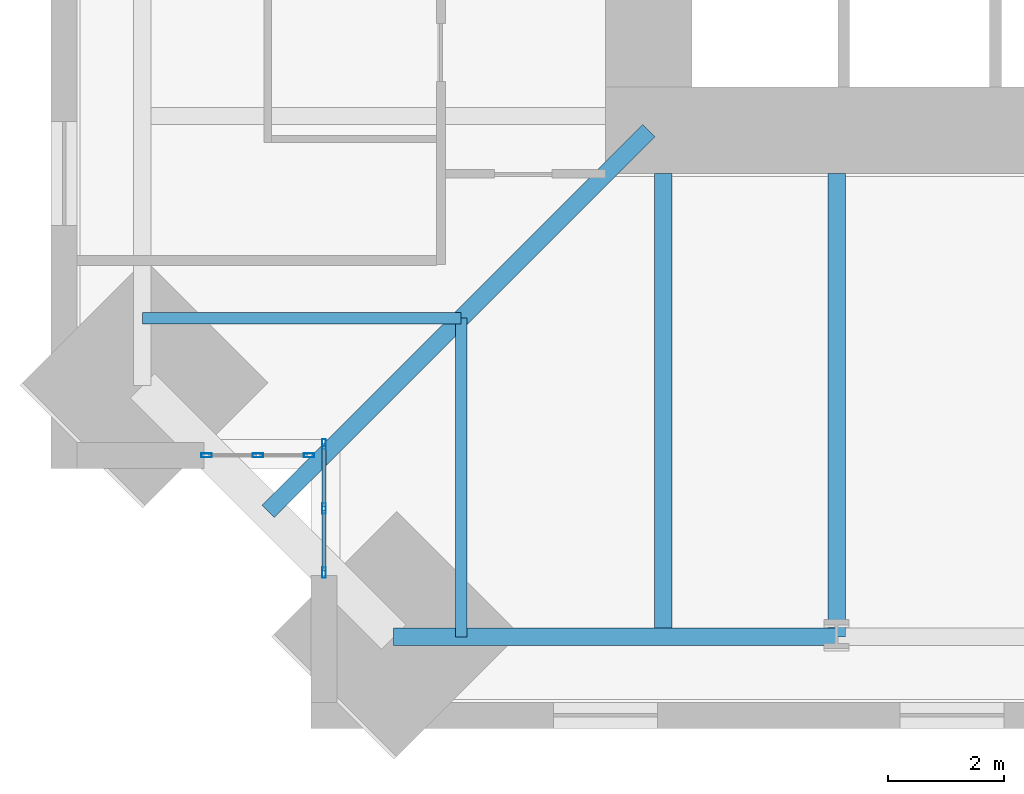
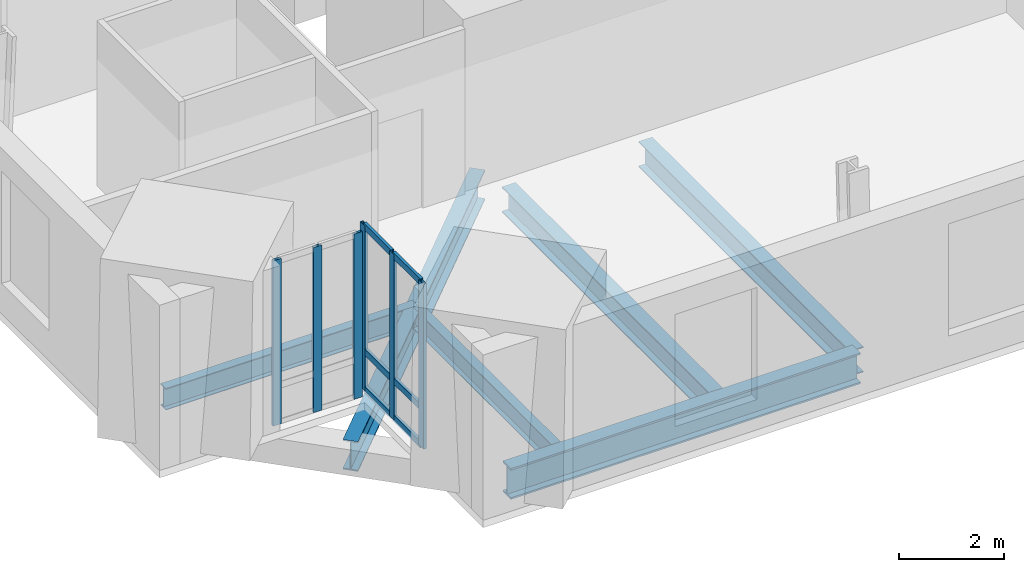
# One storey, part 2 of 16: 12 members, 6 beams, 2 elements without a shape of their own.
"""IFC4 building model written with IfcOpenShell, lengths in metres."""

from ifc_helpers import new_model, si_unit, direction, frame, origin, origin_2d, place, context, subcontext, project, spatial, hollow_rectangle, i_section, extrude, material, material_profile, profile_set, type_object, element, aggregate, save


model = new_model("IFC4")

# Units and contexts
model_context = context("Model", 3, precision=1e-05, world=origin(), true_north=direction((0.0, 1.0)))
body_context = subcontext(model_context, "Body", "Model", "MODEL_VIEW")
ifc_project = project(units=[si_unit("LENGTHUNIT", "METRE"), si_unit("AREAUNIT", "SQUARE_METRE"), si_unit("VOLUMEUNIT", "CUBIC_METRE"), si_unit("PLANEANGLEUNIT", "RADIAN"), si_unit("MASSUNIT", "GRAM", prefix="KILO")], contexts=[model_context])

# Site, building, storey
site_placement = place(None, origin())
site = spatial("IfcSite", under=ifc_project, at=site_placement, CompositionType="ELEMENT")
building_placement = place(site_placement, origin())
building = spatial("IfcBuilding", under=site, at=building_placement, Name="Peilmerk Tower", CompositionType="ELEMENT")
storey_placement = place(building_placement, frame((0.0, 0.0, 269.800048828125)))
storey = spatial("IfcBuildingStorey", under=building, at=storey_placement, Name="L60", CompositionType="ELEMENT", Elevation=269.800048828125)

# Beams
ifc_material_1 = material(Name="Steel S355", Category="steel")
ifc_material_profile_1 = material_profile(ifc_material_1, i_section(OverallWidth=0.300048828125, OverallDepth=0.68994140625, WebThickness=0.014404296875, FlangeThickness=0.027099609375, at=origin_2d()), Name="HEA 700")
ifc_profile_set_1 = profile_set([ifc_material_profile_1], Name="Steel S355")
beam_type_1 = type_object("IfcBeamType", Name="B16 HEA 700 floor beam", PredefinedType="BEAM", material=ifc_profile_set_1)
beam_1_placement = place(storey_placement, frame((-11.25, -11.25, -0.51513671875), z_axis=(-0.707106781187, -0.707106781187, 0.0), x_axis=(0.707106781187, -0.707106781187, 0.0)))
element("IfcBeam", 1, at=beam_1_placement, inside=storey, type_object=beam_type_1, Name="Corner girder L60", PredefinedType="BEAM", context=body_context, shape_type="SweptSolid", body=[
    extrude(i_section(OverallWidth=0.300048828125, OverallDepth=0.68994140625, WebThickness=0.014404296875, FlangeThickness=0.027099609375, at=origin_2d()), origin(), (0.0, 0.0, 1.0), 9.323486328125),
])
ifc_material_profile_2 = material_profile(ifc_material_1, i_section(OverallWidth=0.300048828125, OverallDepth=0.590087890625, WebThickness=0.012939453125, FlangeThickness=0.02490234375, at=origin_2d()), Name="HEA 600")
ifc_profile_set_2 = profile_set([ifc_material_profile_2], Name="Steel S355")
beam_type_2 = type_object("IfcBeamType", Name="B27 HEA 600 floor beam", PredefinedType="BEAM", material=ifc_profile_set_2)
for number, where, z_axis, x_axis, name in (
    (2, (-11.0, -12.0, -0.465087890625), (0.0, -1.0, 0.0), (1.0, 0.0, 0.0), "Floor beam L60"),
    (3, (-8.0, -12.0, -0.465087890625), (0.0, -1.0, 0.0), (1.0, 0.0, 0.0), "Floor beam L60"),
):
    element("IfcBeam", number, at=place(storey_placement, frame(where, z_axis=z_axis, x_axis=x_axis)), inside=storey, type_object=beam_type_2, Name=name, PredefinedType="BEAM", context=body_context, shape_type="SweptSolid", body=[
        extrude(i_section(OverallWidth=0.300048828125, OverallDepth=0.590087890625, WebThickness=0.012939453125, FlangeThickness=0.02490234375, at=origin_2d()), origin(), (0.0, 0.0, 1.0), 8.017822265625),
    ])
ifc_material_profile_3 = material_profile(ifc_material_1, i_section(OverallWidth=0.303955078125, OverallDepth=0.716064453125, WebThickness=0.02099609375, FlangeThickness=0.0400390625, at=origin_2d()), Name="HEM 700")
ifc_profile_set_3 = profile_set([ifc_material_profile_3], Name="Steel S355")
beam_type_3 = type_object("IfcBeamType", Name="B30 HEM 700 edge beam", PredefinedType="SPANDREL", material=ifc_profile_set_3)
beam_2_placement = place(storey_placement, frame((-15.667724609375, -20.017822265625, -0.528076171875), z_axis=(1.0, 0.0, 0.0), x_axis=(0.0, 1.0, 0.0)))
element("IfcBeam", 4, at=beam_2_placement, inside=storey, type_object=beam_type_3, Name="Edge beam L60", PredefinedType="SPANDREL", context=body_context, shape_type="SweptSolid", body=[
    extrude(i_section(OverallWidth=0.303955078125, OverallDepth=0.716064453125, WebThickness=0.02099609375, FlangeThickness=0.0400390625, at=origin_2d()), origin(), (0.0, 0.0, 1.0), 7.667724609375),
])
ifc_material_profile_4 = material_profile(ifc_material_1, i_section(OverallWidth=0.199951171875, OverallDepth=0.5, WebThickness=0.01025390625, FlangeThickness=0.01611328125, at=origin_2d()), Name="IPE 500")
ifc_profile_set_4 = profile_set([ifc_material_profile_4], Name="Steel S355")
beam_type_4 = type_object("IfcBeamType", Name="B32 IPE 500 floor beam", PredefinedType="BEAM", material=ifc_profile_set_4)
for number, where, z_axis, x_axis, name in (
    (5, (-14.5, -14.5, -0.420166015625), (0.0, -1.0, 0.0), (1.0, 0.0, 0.0), "Floor beam L60"),
    (6, (-14.5, -14.5, -0.420166015625), (-1.0, 0.0, 0.0), (0.0, -1.0, 0.0), "Floor beam L60"),
):
    element("IfcBeam", number, at=place(storey_placement, frame(where, z_axis=z_axis, x_axis=x_axis)), inside=storey, type_object=beam_type_4, Name=name, PredefinedType="BEAM", context=body_context, shape_type="SweptSolid", body=[
        extrude(i_section(OverallWidth=0.199951171875, OverallDepth=0.5, WebThickness=0.01025390625, FlangeThickness=0.01611328125, at=origin_2d()), origin(), (0.0, 0.0, 1.0), 5.517822265625),
    ])

# Curtain wall, members
ifc_material_2 = material(Name="Aluminium stick curtain wall", Category="aluminium")
curtain_wall_type = type_object("IfcCurtainWallType", Name="CW4 stick curtain wall, 2250 module", PredefinedType="NOTDEFINED", material=ifc_material_2)
curtain_wall_1_placement = place(storey_placement, origin())
curtain_wall_1 = element("IfcCurtainWall", 7, at=curtain_wall_1_placement, inside=storey, type_object=curtain_wall_type, Name="Curtain wall CW4 SWA L60", PredefinedType="NOTDEFINED")
ifc_material_3 = material(Name="Aluminium EN AW-6063 T6", Category="aluminium")
ifc_material_profile_5 = material_profile(ifc_material_3, hollow_rectangle(XDim=0.06494140625, YDim=0.179931640625, WallThickness=0.0029296875, at=origin_2d()), Name="AL 180x65x3")
ifc_profile_set_5 = profile_set([ifc_material_profile_5], Name="Aluminium EN AW-6063 T6")
member_type_1 = type_object("IfcMemberType", Name="CW4-M AL 180x65x3 mullion", PredefinedType="MULLION", material=ifc_profile_set_5)
member_1_placement = place(storey_placement, frame((-16.875, -16.6826171875, 0.0), z_axis=(0.0, 0.0, 1.0), x_axis=(1.0, 0.0, 0.0)))
member_1 = element("IfcMember", 8, at=member_1_placement, type_object=member_type_1, Name="CW4 mullion 1", PredefinedType="MULLION", context=body_context, shape_type="SweptSolid", body=[
    extrude(hollow_rectangle(XDim=0.06494140625, YDim=0.179931640625, WallThickness=0.0029296875, at=origin_2d()), origin(), (0.0, 0.0, 1.0), 3.829833984375),
])
member_2_placement = place(storey_placement, frame((-16.875, -17.79443359375, 0.0), z_axis=(0.0, 0.0, 1.0), x_axis=(1.0, 0.0, 0.0)))
member_2 = element("IfcMember", 9, at=member_2_placement, type_object=member_type_1, Name="CW4 mullion 2", PredefinedType="MULLION", context=body_context, shape_type="SweptSolid", body=[
    extrude(hollow_rectangle(XDim=0.06494140625, YDim=0.179931640625, WallThickness=0.0029296875, at=origin_2d()), origin(), (0.0, 0.0, 1.0), 3.829833984375),
])
member_3_placement = place(storey_placement, frame((-16.875, -18.90625, 0.0), z_axis=(0.0, 0.0, 1.0), x_axis=(1.0, 0.0, 0.0)))
member_3 = element("IfcMember", 10, at=member_3_placement, type_object=member_type_1, Name="CW4 mullion 3", PredefinedType="MULLION", context=body_context, shape_type="SweptSolid", body=[
    extrude(hollow_rectangle(XDim=0.06494140625, YDim=0.179931640625, WallThickness=0.0029296875, at=origin_2d()), origin(), (0.0, 0.0, 1.0), 3.829833984375),
])

curtain_wall_2_placement = place(storey_placement, origin())
curtain_wall_2 = element("IfcCurtainWall", 11, at=curtain_wall_2_placement, inside=storey, type_object=curtain_wall_type, Name="Curtain wall CW4 SWB L60", PredefinedType="NOTDEFINED")
member_4_placement = place(storey_placement, frame((-17.132568359375, -16.875, 0.0), z_axis=(0.0, 0.0, 1.0), x_axis=(0.0, -1.0, 0.0)))
member_4 = element("IfcMember", 12, at=member_4_placement, type_object=member_type_1, Name="CW4 mullion 1", PredefinedType="MULLION", context=body_context, shape_type="SweptSolid", body=[
    extrude(hollow_rectangle(XDim=0.06494140625, YDim=0.179931640625, WallThickness=0.0029296875, at=origin_2d()), origin(), (0.0, 0.0, 1.0), 3.829833984375),
])
member_5_placement = place(storey_placement, frame((-18.019287109375, -16.875, 0.0), z_axis=(0.0, 0.0, 1.0), x_axis=(0.0, -1.0, 0.0)))
member_5 = element("IfcMember", 13, at=member_5_placement, type_object=member_type_1, Name="CW4 mullion 2", PredefinedType="MULLION", context=body_context, shape_type="SweptSolid", body=[
    extrude(hollow_rectangle(XDim=0.06494140625, YDim=0.179931640625, WallThickness=0.0029296875, at=origin_2d()), origin(), (0.0, 0.0, 1.0), 3.829833984375),
])
member_6_placement = place(storey_placement, frame((-18.90625, -16.875, 0.0), z_axis=(0.0, 0.0, 1.0), x_axis=(0.0, -1.0, 0.0)))
member_6 = element("IfcMember", 14, at=member_6_placement, type_object=member_type_1, Name="CW4 mullion 3", PredefinedType="MULLION", context=body_context, shape_type="SweptSolid", body=[
    extrude(hollow_rectangle(XDim=0.06494140625, YDim=0.179931640625, WallThickness=0.0029296875, at=origin_2d()), origin(), (0.0, 0.0, 1.0), 3.829833984375),
])
aggregate(curtain_wall_2, [member_4, member_5, member_6])

# Member
ifc_material_profile_6 = material_profile(ifc_material_3, hollow_rectangle(XDim=0.06494140625, YDim=0.14990234375, WallThickness=0.0029296875, at=origin_2d()), Name="AL 150x65x3")
ifc_profile_set_6 = profile_set([ifc_material_profile_6], Name="Aluminium EN AW-6063 T6")
member_type_2 = type_object("IfcMemberType", Name="CW4-T AL 150x65x3 transom", PredefinedType="USERDEFINED", material=ifc_profile_set_6)
member_7_placement = place(storey_placement, frame((-16.875, -16.715087890625, 0.032470703125), z_axis=(0.0, -1.0, 0.0), x_axis=(1.0, 0.0, 0.0)))
member_7 = element("IfcMember", 15, at=member_7_placement, type_object=member_type_2, Name="CW4 transom 1.1", ObjectType="TRANSOM", PredefinedType="USERDEFINED", context=body_context, shape_type="SweptSolid", body=[
    extrude(hollow_rectangle(XDim=0.06494140625, YDim=0.14990234375, WallThickness=0.0029296875, at=origin_2d()), origin(), (0.0, 0.0, 1.0), 1.046630859375),
])

member_8_placement = place(storey_placement, frame((-16.875, -16.715087890625, 0.89990234375), z_axis=(0.0, -1.0, 0.0), x_axis=(1.0, 0.0, 0.0)))
member_8 = element("IfcMember", 16, at=member_8_placement, type_object=member_type_2, Name="CW4 transom 1.2", ObjectType="TRANSOM", PredefinedType="USERDEFINED", context=body_context, shape_type="SweptSolid", body=[
    extrude(hollow_rectangle(XDim=0.06494140625, YDim=0.14990234375, WallThickness=0.0029296875, at=origin_2d()), origin(), (0.0, 0.0, 1.0), 1.046630859375),
])

member_9_placement = place(storey_placement, frame((-16.875, -16.715087890625, 3.79736328125), z_axis=(0.0, -1.0, 0.0), x_axis=(1.0, 0.0, 0.0)))
member_9 = element("IfcMember", 17, at=member_9_placement, type_object=member_type_2, Name="CW4 transom 1.3", ObjectType="TRANSOM", PredefinedType="USERDEFINED", context=body_context, shape_type="SweptSolid", body=[
    extrude(hollow_rectangle(XDim=0.06494140625, YDim=0.14990234375, WallThickness=0.0029296875, at=origin_2d()), origin(), (0.0, 0.0, 1.0), 1.046630859375),
])

member_10_placement = place(storey_placement, frame((-16.875, -17.826904296875, 0.032470703125), z_axis=(0.0, -1.0, 0.0), x_axis=(1.0, 0.0, 0.0)))
member_10 = element("IfcMember", 18, at=member_10_placement, type_object=member_type_2, Name="CW4 transom 2.1", ObjectType="TRANSOM", PredefinedType="USERDEFINED", context=body_context, shape_type="SweptSolid", body=[
    extrude(hollow_rectangle(XDim=0.06494140625, YDim=0.14990234375, WallThickness=0.0029296875, at=origin_2d()), origin(), (0.0, 0.0, 1.0), 1.046875),
])

member_11_placement = place(storey_placement, frame((-16.875, -17.826904296875, 0.89990234375), z_axis=(0.0, -1.0, 0.0), x_axis=(1.0, 0.0, 0.0)))
member_11 = element("IfcMember", 19, at=member_11_placement, type_object=member_type_2, Name="CW4 transom 2.2", ObjectType="TRANSOM", PredefinedType="USERDEFINED", context=body_context, shape_type="SweptSolid", body=[
    extrude(hollow_rectangle(XDim=0.06494140625, YDim=0.14990234375, WallThickness=0.0029296875, at=origin_2d()), origin(), (0.0, 0.0, 1.0), 1.046875),
])

member_12_placement = place(storey_placement, frame((-16.875, -17.826904296875, 3.79736328125), z_axis=(0.0, -1.0, 0.0), x_axis=(1.0, 0.0, 0.0)))
member_12 = element("IfcMember", 20, at=member_12_placement, type_object=member_type_2, Name="CW4 transom 2.3", ObjectType="TRANSOM", PredefinedType="USERDEFINED", context=body_context, shape_type="SweptSolid", body=[
    extrude(hollow_rectangle(XDim=0.06494140625, YDim=0.14990234375, WallThickness=0.0029296875, at=origin_2d()), origin(), (0.0, 0.0, 1.0), 1.046875),
])

aggregate(curtain_wall_1, [member_1, member_2, member_3, member_7, member_8, member_9, member_10, member_11, member_12])

save(model, "model.ifc")
